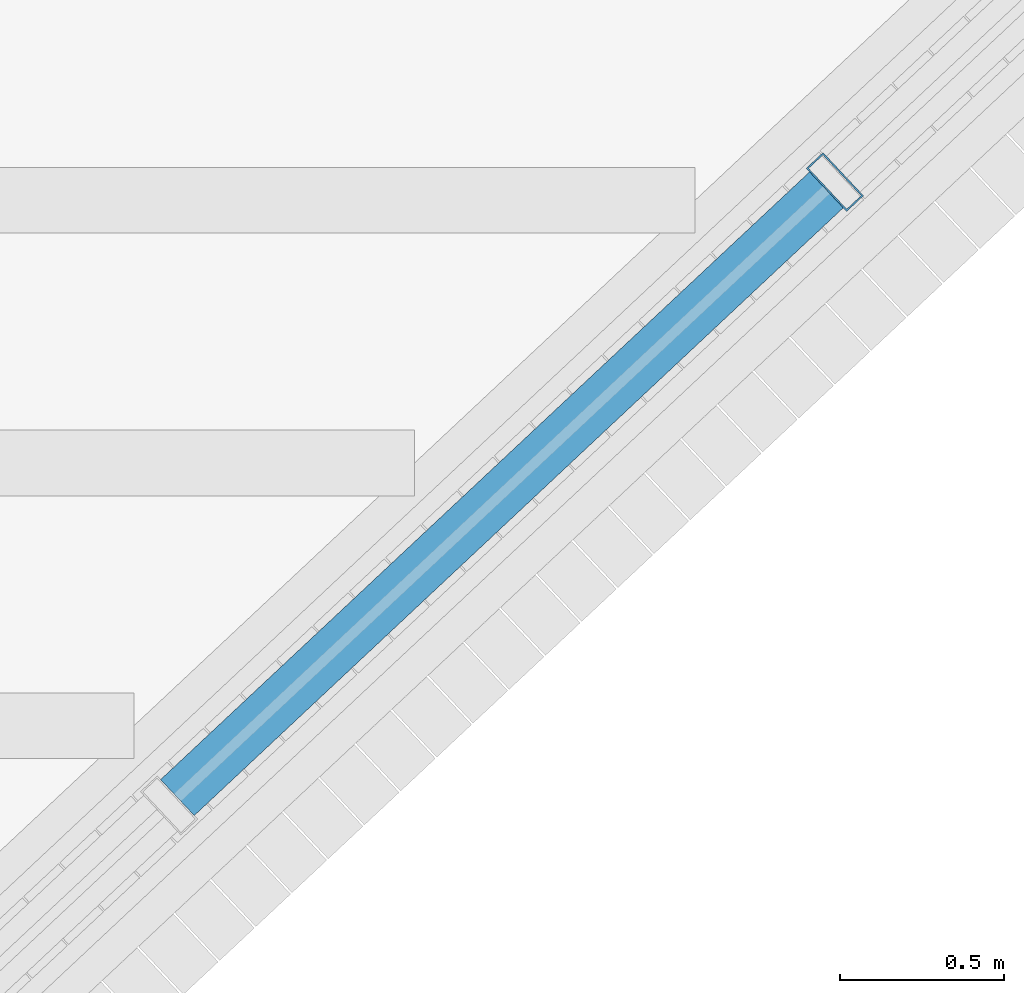
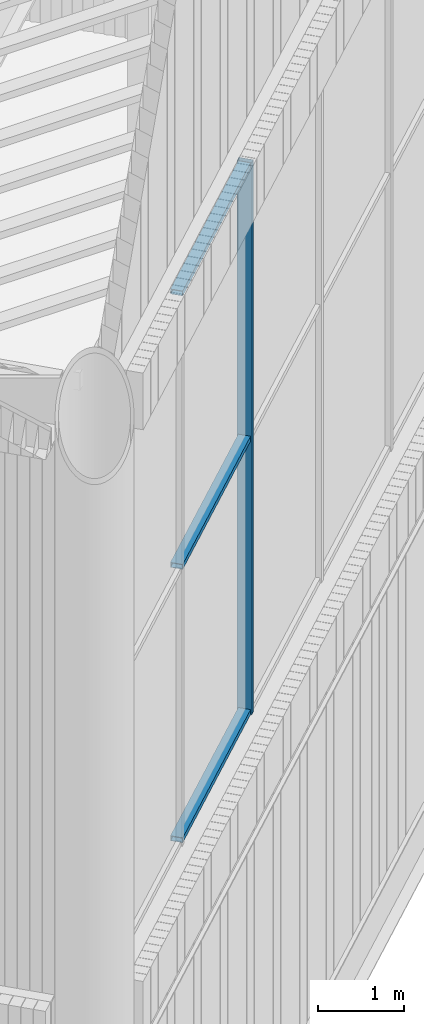
# One storey, part 32 of 117: 4 members, 1 element without a shape of its own.
"""IFC4 building model written with IfcOpenShell, lengths in metres."""

from ifc_helpers import new_model, si_unit, direction, frame, origin, origin_2d, place, context, subcontext, project, spatial, hollow_rectangle, extrude, material, layer, layer_set, material_profile, profile_set, type_object, element, aggregate, save


model = new_model("IFC4")

# Units and contexts
model_context = context("Model", 3, precision=1e-05, world=origin(), true_north=direction((0.0, 1.0)))
body_context = subcontext(model_context, "Body", "Model", "MODEL_VIEW")
ifc_project = project(units=[si_unit("LENGTHUNIT", "METRE"), si_unit("AREAUNIT", "SQUARE_METRE"), si_unit("VOLUMEUNIT", "CUBIC_METRE"), si_unit("PLANEANGLEUNIT", "RADIAN"), si_unit("MASSUNIT", "GRAM", prefix="KILO")], contexts=[model_context])

# Site, building, storey
site_placement = place(None, origin())
site = spatial("IfcSite", under=ifc_project, at=site_placement, CompositionType="ELEMENT")
building_placement = place(site_placement, origin())
building = spatial("IfcBuilding", under=site, at=building_placement, Name="Tarsis Ring Headquarters", CompositionType="ELEMENT")
storey_placement = place(building_placement, frame((0.0, 0.0, 403.60009765625)))
storey = spatial("IfcBuildingStorey", under=building, at=storey_placement, Name="L95", CompositionType="ELEMENT", Elevation=403.60009765625)

# Curtain wall, members
ifc_material_1 = material(Name="Aluminium curtain wall", Category="aluminium")
ifc_layer = layer(ifc_material_1, 0.179931640625)
ifc_layer_set = layer_set([ifc_layer], Name="Curtain wall crown glazing")
curtain_wall_type = type_object("IfcCurtainWallType", Name="Curtain wall crown glazing", PredefinedType="NOTDEFINED", material=ifc_layer_set)
curtain_wall_placement = place(storey_placement, origin())
curtain_wall = element("IfcCurtainWall", 1, at=curtain_wall_placement, inside=storey, type_object=curtain_wall_type, Name="Crown glazing L3", PredefinedType="NOTDEFINED")
ifc_material_2 = material(Name="Aluminium mullion", Category="aluminium")
ifc_material_profile_1 = material_profile(ifc_material_2, hollow_rectangle(XDim=0.179931640625, YDim=0.070068359375, WallThickness=0.0048828125, at=origin_2d()), Name="RHS 180x70x5")
ifc_profile_set_1 = profile_set([ifc_material_profile_1], Name="Aluminium mullion")
member_type_1 = type_object("IfcMemberType", Name="Crown glazing mullion RHS 180x70x5", PredefinedType="MULLION", material=ifc_profile_set_1)
member_1_placement = place(storey_placement, frame((17.371826171875, -31.40869140625, 5.7998046875), z_axis=(0.0, 0.0, 1.0), x_axis=(-0.683528553678, 0.729923774312, 0.0)))
member_1 = element("IfcMember", 2, at=member_1_placement, type_object=member_type_1, Name="CW-C mullion 3", PredefinedType="MULLION", context=body_context, shape_type="SweptSolid", body=[
    extrude(hollow_rectangle(XDim=0.179931640625, YDim=0.070068359375, WallThickness=0.0048828125, at=origin_2d()), origin(), (0.0, 0.0, 1.0), 7.800048828125),
])
ifc_material_3 = material(Name="Aluminium transom", Category="aluminium")
ifc_material_profile_2 = material_profile(ifc_material_3, hollow_rectangle(XDim=0.14990234375, YDim=0.070068359375, WallThickness=0.0048828125, at=origin_2d()), Name="RHS 150x70x5")
ifc_profile_set_2 = profile_set([ifc_material_profile_2], Name="Aluminium transom")
member_type_2 = type_object("IfcMemberType", Name="Crown glazing transom RHS 150x70x5", PredefinedType="USERDEFINED", material=ifc_profile_set_2)
member_2_placement = place(storey_placement, frame((15.3701171875, -33.282958984375, 5.8349609375), z_axis=(0.729947680823, 0.683503023593, 0.0), x_axis=(-0.683503023593, 0.729947680823, 0.0)))
member_2 = element("IfcMember", 3, at=member_2_placement, type_object=member_type_2, Name="CW-C transom 2.1", ObjectType="TRANSOM", PredefinedType="USERDEFINED", context=body_context, shape_type="SweptSolid", body=[
    extrude(hollow_rectangle(XDim=0.14990234375, YDim=0.070068359375, WallThickness=0.0048828125, at=origin_2d()), origin(), (0.0, 0.0, 1.0), 2.70703125),
])
member_3_placement = place(storey_placement, frame((15.3701171875, -33.282958984375, 9.699951171875), z_axis=(0.729947680823, 0.683503023593, 0.0), x_axis=(-0.683503023593, 0.729947680823, 0.0)))
member_3 = element("IfcMember", 4, at=member_3_placement, type_object=member_type_2, Name="CW-C transom 2.2", ObjectType="TRANSOM", PredefinedType="USERDEFINED", context=body_context, shape_type="SweptSolid", body=[
    extrude(hollow_rectangle(XDim=0.14990234375, YDim=0.070068359375, WallThickness=0.0048828125, at=origin_2d()), origin(), (0.0, 0.0, 1.0), 2.70703125),
])
member_4_placement = place(storey_placement, frame((15.3701171875, -33.282958984375, 13.56494140625), z_axis=(0.729947680823, 0.683503023593, 0.0), x_axis=(-0.683503023593, 0.729947680823, 0.0)))
member_4 = element("IfcMember", 5, at=member_4_placement, type_object=member_type_2, Name="CW-C transom 2.3", ObjectType="TRANSOM", PredefinedType="USERDEFINED", context=body_context, shape_type="SweptSolid", body=[
    extrude(hollow_rectangle(XDim=0.14990234375, YDim=0.070068359375, WallThickness=0.0048828125, at=origin_2d()), origin(), (0.0, 0.0, 1.0), 2.70703125),
])
aggregate(curtain_wall, [member_1, member_2, member_3, member_4])

save(model, "model.ifc")
